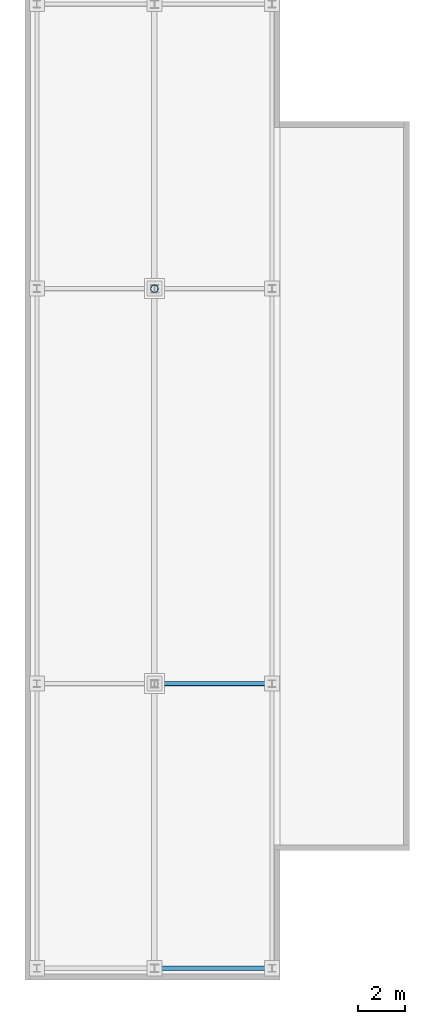
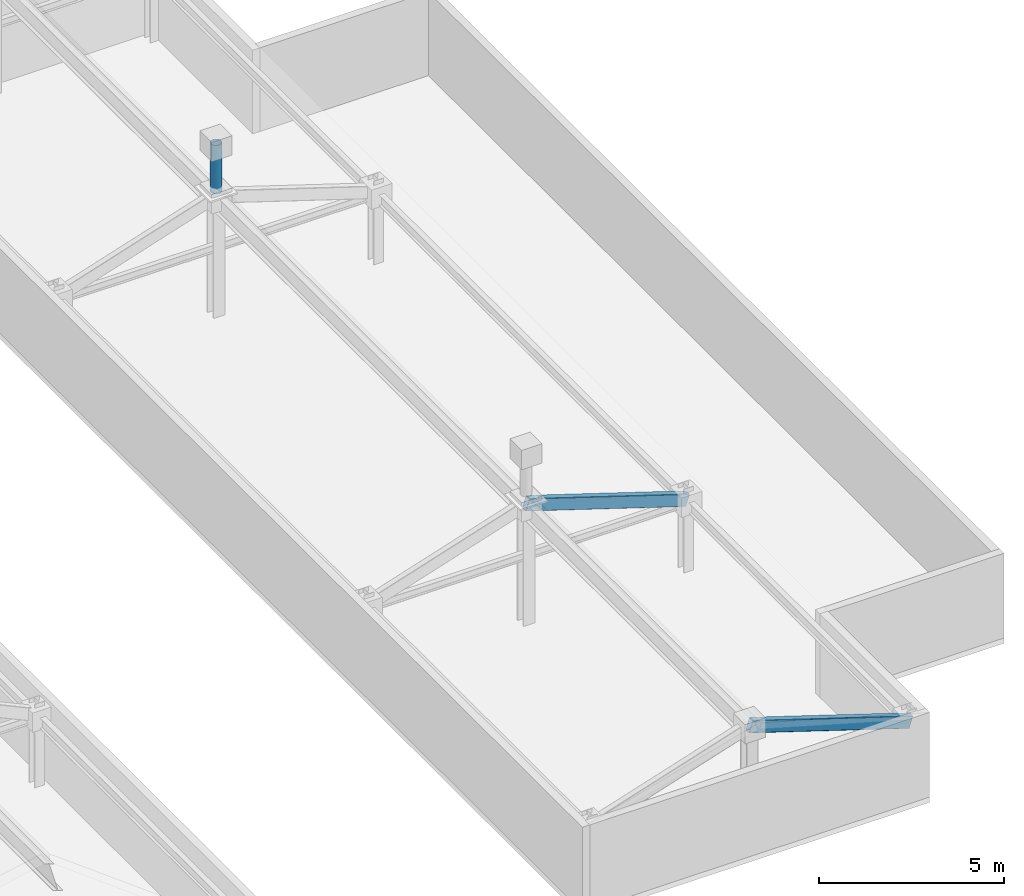
# One storey, part 7 of 9: 3 members.
"""IFC4 building model written with IfcOpenShell, lengths in metres."""

from ifc_helpers import new_model, si_unit, direction, frame, origin, origin_2d, place, context, subcontext, project, spatial, hollow_rectangle, hollow_circle, extrude, material, material_profile, profile_set, type_object, element, save


model = new_model("IFC4")

# Units and contexts
model_context = context("Model", 3, precision=1e-05, world=origin(), true_north=direction((0.0, 1.0)))
body_context = subcontext(model_context, "Body", "Model", "MODEL_VIEW")
ifc_project = project(units=[si_unit("LENGTHUNIT", "METRE"), si_unit("AREAUNIT", "SQUARE_METRE"), si_unit("VOLUMEUNIT", "CUBIC_METRE"), si_unit("PLANEANGLEUNIT", "RADIAN"), si_unit("MASSUNIT", "GRAM", prefix="KILO")], contexts=[model_context])

# Site, building, storey
site_placement = place(None, origin())
site = spatial("IfcSite", under=ifc_project, at=site_placement, CompositionType="ELEMENT")
building_placement = place(site_placement, origin())
building = spatial("IfcBuilding", under=site, at=building_placement, Name="Cairnveth Concourse Tower", CompositionType="ELEMENT")
storey_placement = place(building_placement, frame((0.0, 0.0, 335.5)))
storey = spatial("IfcBuildingStorey", under=building, at=storey_placement, Name="RF", CompositionType="ELEMENT", Elevation=335.5)

# Members
ifc_material = material(Name="Steel C350L0 (350 MPa)", Category="steel")
ifc_material_profile_1 = material_profile(ifc_material, hollow_rectangle(XDim=0.199951171875, YDim=0.39990234375, WallThickness=0.012451171875, InnerFilletRadius=0.012939453125, OuterFilletRadius=0.02490234375, at=origin_2d()), Name="400x200x12.5RHS")
ifc_profile_set_1 = profile_set([ifc_material_profile_1], Name="Steel C350L0 (350 MPa)")
member_type_1 = type_object("IfcMemberType", Name="CROWN GABLE CHORD 400X200X12.5RHS", PredefinedType="CHORD", material=ifc_profile_set_1)
for number, where, z_axis, x_axis, name in (
    (1, (67.14990234375, 18.5, 2.35009765625), (-0.952432246511, 0.0, 0.304750415595), (0.0, -1.0, 0.0), "Structural Brace GCH-ER1 RF"),
    (2, (67.14990234375, 30.60009765625, 2.35009765625), (-0.952432246511, 0.0, 0.304750415595), (0.0, -1.0, 0.0), "Structural Brace GCH-ER2 RF"),
):
    element("IfcMember", number, at=place(storey_placement, frame(where, z_axis=z_axis, x_axis=x_axis)), inside=storey, type_object=member_type_1, Name=name, PredefinedType="CHORD", context=body_context, shape_type="SweptSolid", body=[
        extrude(hollow_rectangle(XDim=0.199951171875, YDim=0.39990234375, WallThickness=0.012451171875, InnerFilletRadius=0.012939453125, OuterFilletRadius=0.02490234375, at=origin_2d()), origin(), (0.0, 0.0, 1.0), 5.249755859375),
    ])
ifc_material_profile_2 = material_profile(ifc_material, hollow_circle(Radius=0.161865234375, WallThickness=0.0126953125, at=origin_2d()), Name="323.9x12.7CHS")
ifc_profile_set_2 = profile_set([ifc_material_profile_2], Name="Steel C350L0 (350 MPa)")
member_type_2 = type_object("IfcMemberType", Name="GOTHIC CROWN SPIRE FINIAL 323.9X12.7CHS", PredefinedType="USERDEFINED", material=ifc_profile_set_2)
member_placement = place(storey_placement, frame((62.14990234375, 47.39990234375, 4.10009765625), z_axis=(0.0, 0.0, 1.0), x_axis=(1.0, 0.0, 0.0)))
element("IfcMember", 3, at=member_placement, inside=storey, type_object=member_type_2, Name="Gothic Crown Spire Finial SL1-E2", ObjectType="FINIAL SPIRE", PredefinedType="USERDEFINED", context=body_context, shape_type="SweptSolid", body=[
    extrude(hollow_circle(Radius=0.161865234375, WallThickness=0.0126953125, at=origin_2d()), origin(), (0.0, 0.0, 1.0), 1.599853515625),
])

save(model, "model.ifc")
